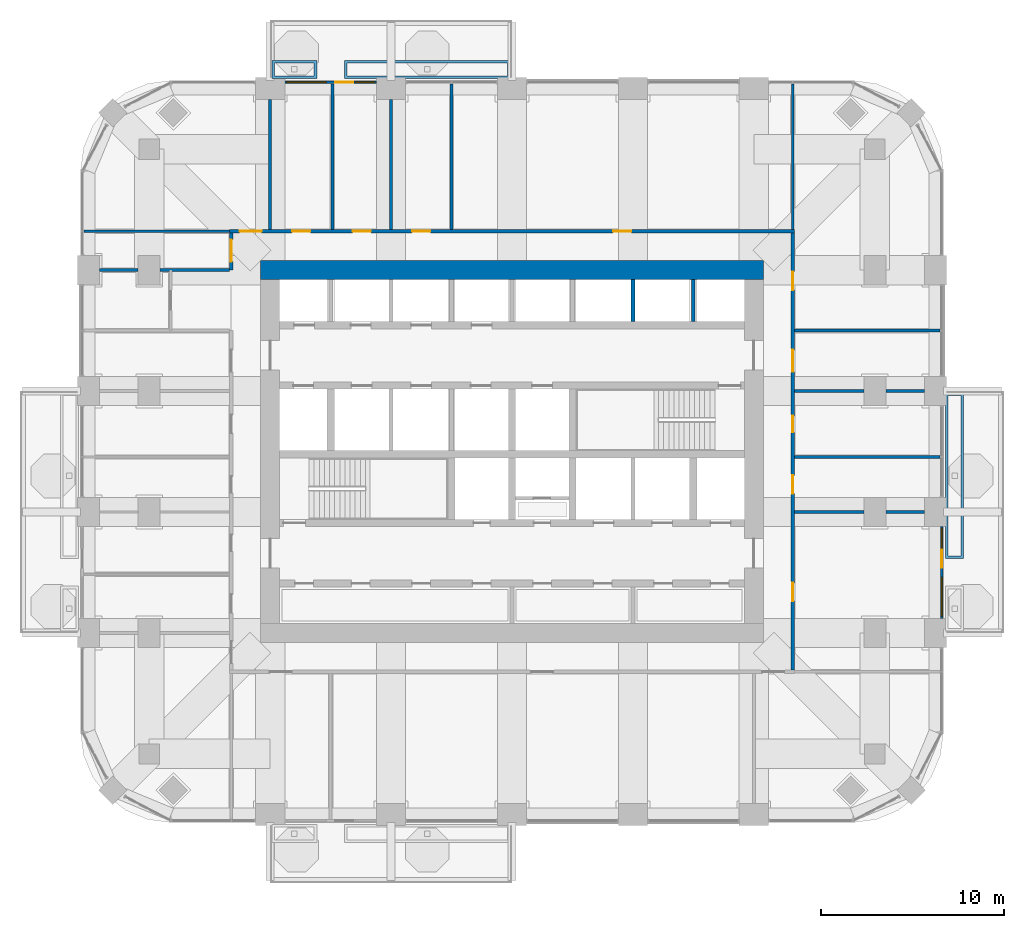
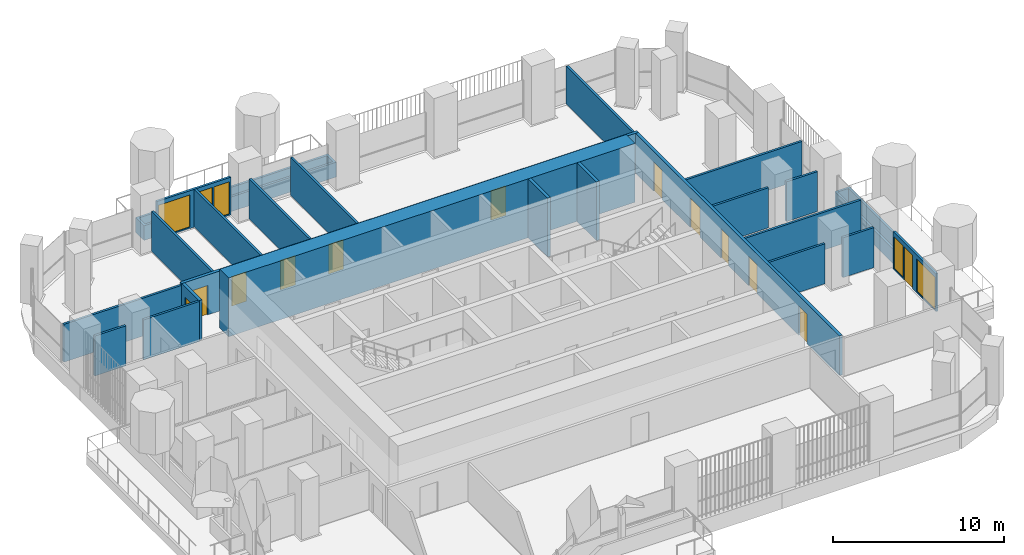
# One storey, part 14 of 20: 25 walls, 13 doors, 4 windows, 17 openings.
"""IFC4 building model written with IfcOpenShell, lengths in metres."""

from ifc_helpers import new_model, si_unit, direction, frame, frame_2d, origin, place, context, subcontext, project, spatial, polyline, rectangle, outline, extrude, material, layer, layer_set, type_object, element, fill, save


model = new_model("IFC4")

# Units and contexts
model_context = context("Model", 3, precision=1e-05, world=origin(), true_north=direction((0.0, 1.0)))
body_context = subcontext(model_context, "Body", "Model", "MODEL_VIEW")
ifc_project = project(units=[si_unit("LENGTHUNIT", "METRE"), si_unit("AREAUNIT", "SQUARE_METRE"), si_unit("VOLUMEUNIT", "CUBIC_METRE"), si_unit("PLANEANGLEUNIT", "RADIAN"), si_unit("MASSUNIT", "GRAM", prefix="KILO")], contexts=[model_context])

# Site, building, storey
site_placement = place(None, origin())
site = spatial("IfcSite", under=ifc_project, at=site_placement, CompositionType="ELEMENT")
building_placement = place(site_placement, origin())
building = spatial("IfcBuilding", under=site, at=building_placement, Name="Cobogo Forest Laboratory Tower", CompositionType="ELEMENT")
storey_placement = place(building_placement, frame((0.0, 0.0, 201.89990234375)))
storey = spatial("IfcBuildingStorey", under=building, at=storey_placement, Name="L46", CompositionType="ELEMENT", Elevation=201.89990234375)

# Wall
ifc_material_1 = material(Name="Concrete HA-50 (C50/60)", Category="concrete")
ifc_layer_1 = layer(ifc_material_1, 1.050048828125)
ifc_layer_set_1 = layer_set([ifc_layer_1], Name="CW1050 core outer wall 1050")
wall_type_1 = type_object("IfcWallType", Name="CW1050 core outer wall 1050", PredefinedType="SHEAR", material=ifc_layer_set_1)
wall_1_placement = place(storey_placement, frame((40.125, 33.0, 0.0), z_axis=(0.0, 0.0, 1.0), x_axis=(-1.0, 0.0, 0.0)))
element("IfcWall", 1, at=wall_1_placement, inside=storey, type_object=wall_type_1, Name="Core wall CO-N L46", PredefinedType="SHEAR", context=body_context, shape_type="SweptSolid", body=[
    extrude(rectangle(XDim=27.449951171875, YDim=1.050048828125, at=frame_2d((13.72509765625, 0.0))), origin(), (0.0, 0.0, 1.0), 4.2001953125),
])

# Wall, openings, door, windows
ifc_material_2 = material(Name="Aluminium framed glazed screen", Category="aluminium")
ifc_layer_2 = layer(ifc_material_2, 0.14990234375)
ifc_layer_set_2 = layer_set([ifc_layer_2], Name="GS1 glazed door screen 150")
wall_type_2 = type_object("IfcWallType", Name="GS1 glazed door screen 150", PredefinedType="SOLIDWALL", material=ifc_layer_set_2)
wall_2_placement = place(storey_placement, frame((49.85009765625, 14.0, 0.0), z_axis=(0.0, 0.0, 1.0), x_axis=(0.0, 1.0, 0.0)))
wall_2 = element("IfcWall", 2, at=wall_2_placement, inside=storey, type_object=wall_type_2, Name="Door screen BAL-E1 L46", PredefinedType="SOLIDWALL", context=body_context, shape_type="SweptSolid", body=[
    extrude(rectangle(XDim=5.0, YDim=0.14990234375, at=frame_2d((2.5, 0.0))), origin(), (0.0, 0.0, 1.0), 2.7001953125),
])
opening_1_placement = place(wall_2_placement, frame((2.75, 0.0, 0.0)))
opening_1 = element("IfcOpeningElement", 3, at=opening_1_placement, cuts=wall_2, Name="Opening L46-D17", PredefinedType="OPENING", context=body_context, shape_type="SweptSolid", body=[
    extrude(rectangle(XDim=1.0, YDim=2.39990234375, at=frame_2d((0.5, 1.199951171875))), frame((0.0, 0.0849609375, 0.0), z_axis=(0.0, -1.0, 0.0), x_axis=(1.0, 0.0, 0.0)), (0.0, 0.0, 1.0), 0.169921875),
])
opening_2_placement = place(wall_2_placement, frame((0.10009765625, 0.0, 0.10009765625)))
opening_2 = element("IfcOpeningElement", 4, at=opening_2_placement, cuts=wall_2, Name="Opening L46-W04", PredefinedType="OPENING", context=body_context, shape_type="SweptSolid", body=[
    extrude(rectangle(XDim=2.14990234375, YDim=2.300048828125, at=frame_2d((1.074951171875, 1.14990234375))), frame((0.0, 0.0849609375, 0.0), z_axis=(0.0, -1.0, 0.0), x_axis=(1.0, 0.0, 0.0)), (0.0, 0.0, 1.0), 0.169921875),
])
opening_3_placement = place(wall_2_placement, frame((3.85009765625, 0.0, 0.10009765625)))
opening_3 = element("IfcOpeningElement", 5, at=opening_3_placement, cuts=wall_2, Name="Opening L46-W06", PredefinedType="OPENING", context=body_context, shape_type="SweptSolid", body=[
    extrude(rectangle(XDim=1.050048828125, YDim=2.300048828125, at=frame_2d((0.52490234375, 1.14990234375))), frame((0.0, 0.0849609375, 0.0), z_axis=(0.0, -1.0, 0.0), x_axis=(1.0, 0.0, 0.0)), (0.0, 0.0, 1.0), 0.169921875),
])
ifc_material_3 = material(Name="Aluminium glazed door", Category="aluminium")
door_type_1 = type_object("IfcDoorType", Name="DB1 balcony door 1000 glazed", OperationType="SINGLE_SWING_LEFT", PredefinedType="DOOR", material=ifc_material_3)
door_1_placement = place(opening_1_placement, origin())
door_1 = element("IfcDoor", 6, at=door_1_placement, inside=storey, type_object=door_type_1, Name="Door L46-BAL-E1", OperationType="SINGLE_SWING_RIGHT", OverallHeight=2.39990234375, OverallWidth=1.0, PredefinedType="DOOR", context=body_context, shape_type="SweptSolid", body=[
    extrude(rectangle(XDim=1.0, YDim=2.39990234375, at=frame_2d((0.5, 1.199951171875))), frame((0.0, 0.02490234375, 0.0), z_axis=(0.0, -1.0, 0.0), x_axis=(1.0, 0.0, 0.0)), (0.0, 0.0, 1.0), 0.050048828125),
])
fill(opening_1, door_1)
ifc_material_4 = material(Name="Aluminium framed glazing", Category="aluminium")
window_type_1 = type_object("IfcWindowType", Name="WG13 fixed glazed light 2150x2300", PartitioningType="SINGLE_PANEL", PredefinedType="WINDOW", material=ifc_material_4)
window_1_placement = place(opening_2_placement, origin())
window_1 = element("IfcWindow", 7, at=window_1_placement, inside=storey, type_object=window_type_1, Name="Window L46-BAL-E1-1", OverallHeight=2.300048828125, OverallWidth=2.14990234375, PartitioningType="SINGLE_PANEL", PredefinedType="WINDOW", context=body_context, shape_type="SweptSolid", body=[
    extrude(rectangle(XDim=2.14990234375, YDim=2.300048828125, at=frame_2d((1.074951171875, 1.14990234375))), frame((0.0, 0.030029296875, 0.0), z_axis=(0.0, -1.0, 0.0), x_axis=(1.0, 0.0, 0.0)), (0.0, 0.0, 1.0), 0.06005859375),
])
fill(opening_2, window_1)
window_type_2 = type_object("IfcWindowType", Name="WG14 fixed glazed light 1050x2300", PartitioningType="SINGLE_PANEL", PredefinedType="WINDOW", material=ifc_material_4)
window_2_placement = place(opening_3_placement, origin())
window_2 = element("IfcWindow", 8, at=window_2_placement, inside=storey, type_object=window_type_2, Name="Window L46-BAL-E1-2", OverallHeight=2.300048828125, OverallWidth=1.050048828125, PartitioningType="SINGLE_PANEL", PredefinedType="WINDOW", context=body_context, shape_type="SweptSolid", body=[
    extrude(rectangle(XDim=1.050048828125, YDim=2.300048828125, at=frame_2d((0.52490234375, 1.14990234375))), frame((0.0, 0.030029296875, 0.0), z_axis=(0.0, -1.0, 0.0), x_axis=(1.0, 0.0, 0.0)), (0.0, 0.0, 1.0), 0.06005859375),
])
fill(opening_3, window_2)

wall_3_placement = place(storey_placement, frame((19.0, 43.25, 0.0), z_axis=(0.0, 0.0, 1.0), x_axis=(-1.0, 0.0, 0.0)))
wall_3 = element("IfcWall", 9, at=wall_3_placement, inside=storey, type_object=wall_type_2, Name="Door screen BAL-N1 L46", PredefinedType="SOLIDWALL", context=body_context, shape_type="SweptSolid", body=[
    extrude(rectangle(XDim=5.0, YDim=0.14990234375, at=frame_2d((2.5, 0.0))), origin(), (0.0, 0.0, 1.0), 2.7001953125),
])
opening_4_placement = place(wall_3_placement, frame((1.25, 0.0, 0.0)))
opening_4 = element("IfcOpeningElement", 10, at=opening_4_placement, cuts=wall_3, Name="Opening L46-D42", PredefinedType="OPENING", context=body_context, shape_type="SweptSolid", body=[
    extrude(rectangle(XDim=1.0, YDim=2.39990234375, at=frame_2d((0.5, 1.199951171875))), frame((0.0, 0.0849609375, 0.0), z_axis=(0.0, -1.0, 0.0), x_axis=(1.0, 0.0, 0.0)), (0.0, 0.0, 1.0), 0.169921875),
])
opening_5_placement = place(wall_3_placement, frame((0.10009765625, 0.0, 0.10009765625)))
opening_5 = element("IfcOpeningElement", 11, at=opening_5_placement, cuts=wall_3, Name="Opening L46-W08", PredefinedType="OPENING", context=body_context, shape_type="SweptSolid", body=[
    extrude(rectangle(XDim=1.050048828125, YDim=2.300048828125, at=frame_2d((0.52490234375, 1.14990234375))), frame((0.0, 0.0849609375, 0.0), z_axis=(0.0, -1.0, 0.0), x_axis=(1.0, 0.0, 0.0)), (0.0, 0.0, 1.0), 0.169921875),
])
opening_6_placement = place(wall_3_placement, frame((2.75, 0.0, 0.10009765625)))
opening_6 = element("IfcOpeningElement", 12, at=opening_6_placement, cuts=wall_3, Name="Opening L46-W07", PredefinedType="OPENING", context=body_context, shape_type="SweptSolid", body=[
    extrude(rectangle(XDim=2.14990234375, YDim=2.300048828125, at=frame_2d((1.074951171875, 1.14990234375))), frame((0.0, 0.0849609375, 0.0), z_axis=(0.0, -1.0, 0.0), x_axis=(1.0, 0.0, 0.0)), (0.0, 0.0, 1.0), 0.169921875),
])
door_2_placement = place(opening_4_placement, origin())
door_2 = element("IfcDoor", 13, at=door_2_placement, inside=storey, type_object=door_type_1, Name="Door L46-BAL-N1", OperationType="SINGLE_SWING_LEFT", OverallHeight=2.39990234375, OverallWidth=1.0, PredefinedType="DOOR", context=body_context, shape_type="SweptSolid", body=[
    extrude(rectangle(XDim=1.0, YDim=2.39990234375, at=frame_2d((0.5, 1.199951171875))), frame((0.0, 0.02490234375, 0.0), z_axis=(0.0, -1.0, 0.0), x_axis=(1.0, 0.0, 0.0)), (0.0, 0.0, 1.0), 0.050048828125),
])
fill(opening_4, door_2)
window_3_placement = place(opening_6_placement, origin())
window_3 = element("IfcWindow", 14, at=window_3_placement, inside=storey, type_object=window_type_1, Name="Window L46-BAL-N1-2", OverallHeight=2.300048828125, OverallWidth=2.14990234375, PartitioningType="SINGLE_PANEL", PredefinedType="WINDOW", context=body_context, shape_type="SweptSolid", body=[
    extrude(rectangle(XDim=2.14990234375, YDim=2.300048828125, at=frame_2d((1.074951171875, 1.14990234375))), frame((0.0, 0.030029296875, 0.0), z_axis=(0.0, -1.0, 0.0), x_axis=(1.0, 0.0, 0.0)), (0.0, 0.0, 1.0), 0.06005859375),
])
fill(opening_6, window_3)
window_4_placement = place(opening_5_placement, origin())
window_4 = element("IfcWindow", 15, at=window_4_placement, inside=storey, type_object=window_type_2, Name="Window L46-BAL-N1-1", OverallHeight=2.300048828125, OverallWidth=1.050048828125, PartitioningType="SINGLE_PANEL", PredefinedType="WINDOW", context=body_context, shape_type="SweptSolid", body=[
    extrude(rectangle(XDim=1.050048828125, YDim=2.300048828125, at=frame_2d((0.52490234375, 1.14990234375))), frame((0.0, 0.030029296875, 0.0), z_axis=(0.0, -1.0, 0.0), x_axis=(1.0, 0.0, 0.0)), (0.0, 0.0, 1.0), 0.06005859375),
])
fill(opening_5, window_4)

# Walls
ifc_material_5 = material(Name="Gypsum board on steel studs", Category="steel")
ifc_layer_3 = layer(ifc_material_5, 0.14990234375)
ifc_layer_set_3 = layer_set([ifc_layer_3], Name="PT1 laboratory partition 150")
wall_type_3 = type_object("IfcWallType", Name="PT1 laboratory partition 150", PredefinedType="PARTITIONING", material=ifc_layer_set_3)
wall_4_placement = place(storey_placement, frame((41.72509765625, 43.169921875, 0.0), z_axis=(0.0, 0.0, 1.0), x_axis=(0.0, -1.0, 0.0)))
element("IfcWall", 16, at=wall_4_placement, inside=storey, type_object=wall_type_3, Name="Partition PW-NE L46", PredefinedType="PARTITIONING", context=body_context, shape_type="SweptSolid", body=[
    extrude(rectangle(XDim=7.94482421875, YDim=0.14990234375, at=frame_2d((3.972412109375, 0.0))), origin(), (0.0, 0.0, 1.0), 2.7001953125),
])
for number, where, z_axis, x_axis, name in (
    (17, (3.030029296875, 35.125, 0.0), (0.0, 0.0, 1.0), (1.0, 0.0, 0.0), "Partition PW-NW L46"),
    (18, (49.77001953125, 22.800048828125, 0.0), (0.0, 0.0, 1.0), (-1.0, 0.0, 0.0), "Partition SVC-E1-1 L46"),
):
    element("IfcWall", number, at=place(storey_placement, frame(where, z_axis=z_axis, x_axis=x_axis)), inside=storey, type_object=wall_type_3, Name=name, PredefinedType="PARTITIONING", context=body_context, shape_type="SweptSolid", body=[
        extrude(rectangle(XDim=7.945068359375, YDim=0.14990234375, at=frame_2d((3.97265625, 0.0))), origin(), (0.0, 0.0, 1.0), 2.7001953125),
    ])
wall_5_placement = place(storey_placement, frame((48.89990234375, 26.39990234375, 0.0), z_axis=(0.0, 0.0, 1.0), x_axis=(-1.0, 0.0, 0.0)))
element("IfcWall", 19, at=wall_5_placement, inside=storey, type_object=wall_type_3, Name="Partition SVC-E2-1 L46", PredefinedType="PARTITIONING", context=body_context, shape_type="SweptSolid", body=[
    extrude(rectangle(XDim=2.099853515625, YDim=0.14990234375, at=frame_2d((1.0498046875, 0.0))), origin(), (0.0, 0.0, 1.0), 2.85009765625),
])
wall_6_placement = place(storey_placement, frame((45.60009765625, 26.39990234375, 0.0), z_axis=(0.0, 0.0, 1.0), x_axis=(-1.0, 0.0, 0.0)))
element("IfcWall", 20, at=wall_6_placement, inside=storey, type_object=wall_type_3, Name="Partition SVC-E2-2 L46", PredefinedType="PARTITIONING", context=body_context, shape_type="SweptSolid", body=[
    extrude(rectangle(XDim=3.775146484375, YDim=0.14990234375, at=frame_2d((1.8876953125, 0.0))), origin(), (0.0, 0.0, 1.0), 2.85009765625),
])
wall_7_placement = place(storey_placement, frame((48.89990234375, 19.800048828125, 0.0), z_axis=(0.0, 0.0, 1.0), x_axis=(-1.0, 0.0, 0.0)))
element("IfcWall", 21, at=wall_7_placement, inside=storey, type_object=wall_type_3, Name="Partition CUT-E19.8-1 L46", PredefinedType="PARTITIONING", context=body_context, shape_type="SweptSolid", body=[
    extrude(rectangle(XDim=2.099853515625, YDim=0.14990234375, at=frame_2d((1.0498046875, 0.0))), origin(), (0.0, 0.0, 1.0), 2.85009765625),
])
wall_8_placement = place(storey_placement, frame((45.60009765625, 19.800048828125, 0.0), z_axis=(0.0, 0.0, 1.0), x_axis=(-1.0, 0.0, 0.0)))
element("IfcWall", 22, at=wall_8_placement, inside=storey, type_object=wall_type_3, Name="Partition CUT-E19.8-2 L46", PredefinedType="PARTITIONING", context=body_context, shape_type="SweptSolid", body=[
    extrude(rectangle(XDim=3.775146484375, YDim=0.14990234375, at=frame_2d((1.8876953125, 0.0))), origin(), (0.0, 0.0, 1.0), 2.85009765625),
])
wall_9_placement = place(storey_placement, frame((49.77001953125, 29.699951171875, 0.0), z_axis=(0.0, 0.0, 1.0), x_axis=(-1.0, 0.0, 0.0)))
element("IfcWall", 23, at=wall_9_placement, inside=storey, type_object=wall_type_3, Name="Partition CUT-E29.7-1 L46", PredefinedType="PARTITIONING", context=body_context, shape_type="SweptSolid", body=[
    extrude(rectangle(XDim=7.945068359375, YDim=0.14990234375, at=frame_2d((3.97265625, 0.0))), origin(), (0.0, 0.0, 1.0), 2.7001953125),
])
wall_10_placement = place(storey_placement, frame((16.60009765625, 43.169921875, 0.0), z_axis=(0.0, 0.0, 1.0), x_axis=(0.0, -1.0, 0.0)))
element("IfcWall", 24, at=wall_10_placement, inside=storey, type_object=wall_type_3, Name="Partition SVC-N1-1 L46", PredefinedType="PARTITIONING", context=body_context, shape_type="SweptSolid", body=[
    extrude(rectangle(XDim=7.94482421875, YDim=0.14990234375, at=frame_2d((3.972412109375, 0.0))), origin(), (0.0, 0.0, 1.0), 2.7001953125),
])
for number, where, z_axis, x_axis, name in (
    (25, (19.800048828125, 42.300048828125, 0.0), (0.0, 0.0, 1.0), (0.0, -1.0, 0.0), "Partition SVC-N2-1 L46"),
    (26, (13.199951171875, 42.300048828125, 0.0), (0.0, 0.0, 1.0), (0.0, -1.0, 0.0), "Partition CUT-N13.2-1 L46"),
):
    element("IfcWall", number, at=place(storey_placement, frame(where, z_axis=z_axis, x_axis=x_axis)), inside=storey, type_object=wall_type_3, Name=name, PredefinedType="PARTITIONING", context=body_context, shape_type="SweptSolid", body=[
        extrude(rectangle(XDim=7.074951171875, YDim=0.14990234375, at=frame_2d((3.53759765625, 0.0))), origin(), (0.0, 0.0, 1.0), 2.85009765625),
    ])
wall_11_placement = place(storey_placement, frame((23.10009765625, 43.169921875, 0.0), z_axis=(0.0, 0.0, 1.0), x_axis=(0.0, -1.0, 0.0)))
element("IfcWall", 27, at=wall_11_placement, inside=storey, type_object=wall_type_3, Name="Partition CUT-N23.1-1 L46", PredefinedType="PARTITIONING", context=body_context, shape_type="SweptSolid", body=[
    extrude(rectangle(XDim=7.94482421875, YDim=0.14990234375, at=frame_2d((3.972412109375, 0.0))), origin(), (0.0, 0.0, 1.0), 2.7001953125),
])
wall_12_placement = place(storey_placement, frame((3.89990234375, 33.0, 0.0), z_axis=(0.0, 0.0, 1.0), x_axis=(1.0, 0.0, 0.0)))
element("IfcWall", 28, at=wall_12_placement, inside=storey, type_object=wall_type_3, Name="Partition CUT-W33-1 L46", PredefinedType="PARTITIONING", context=body_context, shape_type="SweptSolid", body=[
    extrude(rectangle(XDim=2.10009765625, YDim=0.14990234375, at=frame_2d((1.050048828125, 0.0))), origin(), (0.0, 0.0, 1.0), 2.85009765625),
])
wall_13_placement = place(storey_placement, frame((7.199951171875, 33.0, 0.0), z_axis=(0.0, 0.0, 1.0), x_axis=(1.0, 0.0, 0.0)))
element("IfcWall", 29, at=wall_13_placement, inside=storey, type_object=wall_type_3, Name="Partition CUT-W33-2 L46", PredefinedType="PARTITIONING", context=body_context, shape_type="SweptSolid", body=[
    extrude(rectangle(XDim=3.775146484375, YDim=0.14990234375, at=frame_2d((1.8876953125, 0.0))), origin(), (0.0, 0.0, 1.0), 2.85009765625),
])

# Wall, openings, doors
ifc_layer_4 = layer(ifc_material_5, 0.199951171875)
ifc_layer_set_4 = layer_set([ifc_layer_4], Name="PT2 fire-rated corridor partition 200")
wall_type_4 = type_object("IfcWallType", Name="PT2 fire-rated corridor partition 200", PredefinedType="PARTITIONING", material=ifc_layer_set_4)
wall_14_placement = place(storey_placement, frame((10.97509765625, 35.125, 0.0), z_axis=(0.0, 0.0, 1.0), x_axis=(1.0, 0.0, 0.0)))
wall_14 = element("IfcWall", 30, at=wall_14_placement, inside=storey, type_object=wall_type_4, Name="Partition CORR-N L46", PredefinedType="PARTITIONING", context=body_context, shape_type="SweptSolid", body=[
    extrude(rectangle(XDim=30.849853515625, YDim=0.199951171875, at=frame_2d((15.4248046875, 0.0))), origin(), (0.0, 0.0, 1.0), 2.85009765625),
])
opening_7_placement = place(wall_14_placement, frame((0.5625, 0.0, 0.0)))
opening_7 = element("IfcOpeningElement", 31, at=opening_7_placement, cuts=wall_14, Name="Opening L46-D37", PredefinedType="OPENING", context=body_context, shape_type="SweptSolid", body=[
    extrude(rectangle(XDim=1.199951171875, YDim=2.10009765625, at=frame_2d((0.60009765625, 1.050048828125))), frame((0.0, 0.10986328125, 0.0), z_axis=(0.0, -1.0, 0.0), x_axis=(1.0, 0.0, 0.0)), (0.0, 0.0, 1.0), 0.219970703125),
])
opening_8_placement = place(wall_14_placement, frame((3.425048828125, 0.0, 0.0)))
opening_8 = element("IfcOpeningElement", 32, at=opening_8_placement, cuts=wall_14, Name="Opening L46-D38", PredefinedType="OPENING", context=body_context, shape_type="SweptSolid", body=[
    extrude(rectangle(XDim=1.0, YDim=2.10009765625, at=frame_2d((0.5, 1.050048828125))), frame((0.0, 0.10986328125, 0.0), z_axis=(0.0, -1.0, 0.0), x_axis=(1.0, 0.0, 0.0)), (0.0, 0.0, 1.0), 0.219970703125),
])
opening_9_placement = place(wall_14_placement, frame((6.72509765625, 0.0, 0.0)))
opening_9 = element("IfcOpeningElement", 33, at=opening_9_placement, cuts=wall_14, Name="Opening L46-D39", PredefinedType="OPENING", context=body_context, shape_type="SweptSolid", body=[
    extrude(rectangle(XDim=1.0, YDim=2.10009765625, at=frame_2d((0.5, 1.050048828125))), frame((0.0, 0.10986328125, 0.0), z_axis=(0.0, -1.0, 0.0), x_axis=(1.0, 0.0, 0.0)), (0.0, 0.0, 1.0), 0.219970703125),
])
opening_10_placement = place(wall_14_placement, frame((9.97509765625, 0.0, 0.0)))
opening_10 = element("IfcOpeningElement", 34, at=opening_10_placement, cuts=wall_14, Name="Opening L46-D40", PredefinedType="OPENING", context=body_context, shape_type="SweptSolid", body=[
    extrude(rectangle(XDim=1.0, YDim=2.10009765625, at=frame_2d((0.5, 1.050048828125))), frame((0.0, 0.10986328125, 0.0), z_axis=(0.0, -1.0, 0.0), x_axis=(1.0, 0.0, 0.0)), (0.0, 0.0, 1.0), 0.219970703125),
])
opening_11_placement = place(wall_14_placement, frame((20.9375, 0.0, 0.0)))
opening_11 = element("IfcOpeningElement", 35, at=opening_11_placement, cuts=wall_14, Name="Opening L46-D41", PredefinedType="OPENING", context=body_context, shape_type="SweptSolid", body=[
    extrude(rectangle(XDim=1.0, YDim=2.10009765625, at=frame_2d((0.5, 1.050048828125))), frame((0.0, 0.10986328125, 0.0), z_axis=(0.0, -1.0, 0.0), x_axis=(1.0, 0.0, 0.0)), (0.0, 0.0, 1.0), 0.219970703125),
])
ifc_material_6 = material(Name="Timber door", Category="wood")
door_type_2 = type_object("IfcDoorType", Name="D2 laboratory door 1200 unequal pair", OperationType="DOUBLE_DOOR_SINGLE_SWING", PredefinedType="DOOR", material=ifc_material_6)
door_3_placement = place(opening_7_placement, origin())
door_3 = element("IfcDoor", 36, at=door_3_placement, inside=storey, type_object=door_type_2, Name="Door L46-N1", OperationType="DOUBLE_DOOR_SINGLE_SWING", OverallHeight=2.10009765625, OverallWidth=1.199951171875, PredefinedType="DOOR", context=body_context, shape_type="SweptSolid", body=[
    extrude(rectangle(XDim=1.199951171875, YDim=2.10009765625, at=frame_2d((0.60009765625, 1.050048828125))), frame((0.0, 0.02490234375, 0.0), z_axis=(0.0, -1.0, 0.0), x_axis=(1.0, 0.0, 0.0)), (0.0, 0.0, 1.0), 0.050048828125),
])
fill(opening_7, door_3)
ifc_material_7 = material(Name="Timber fire door", Category="wood")
door_type_3 = type_object("IfcDoorType", Name="FD2 fire door 1000 EI2 30", OperationType="SINGLE_SWING_LEFT", PredefinedType="DOOR", material=ifc_material_7)
door_4_placement = place(opening_8_placement, origin())
door_4 = element("IfcDoor", 37, at=door_4_placement, inside=storey, type_object=door_type_3, Name="Door L46-MTG", OperationType="SINGLE_SWING_LEFT", OverallHeight=2.10009765625, OverallWidth=1.0, PredefinedType="DOOR", context=body_context, shape_type="SweptSolid", body=[
    extrude(rectangle(XDim=1.0, YDim=2.10009765625, at=frame_2d((0.5, 1.050048828125))), frame((0.0, 0.02490234375, 0.0), z_axis=(0.0, -1.0, 0.0), x_axis=(1.0, 0.0, 0.0)), (0.0, 0.0, 1.0), 0.050048828125),
])
fill(opening_8, door_4)
door_5_placement = place(opening_9_placement, origin())
door_5 = element("IfcDoor", 38, at=door_5_placement, inside=storey, type_object=door_type_3, Name="Door L46-PAN", OperationType="SINGLE_SWING_LEFT", OverallHeight=2.10009765625, OverallWidth=1.0, PredefinedType="DOOR", context=body_context, shape_type="SweptSolid", body=[
    extrude(rectangle(XDim=1.0, YDim=2.10009765625, at=frame_2d((0.5, 1.050048828125))), frame((0.0, 0.02490234375, 0.0), z_axis=(0.0, -1.0, 0.0), x_axis=(1.0, 0.0, 0.0)), (0.0, 0.0, 1.0), 0.050048828125),
])
fill(opening_9, door_5)
door_6_placement = place(opening_10_placement, origin())
door_6 = element("IfcDoor", 39, at=door_6_placement, inside=storey, type_object=door_type_3, Name="Door L46-N2", OperationType="SINGLE_SWING_LEFT", OverallHeight=2.10009765625, OverallWidth=1.0, PredefinedType="DOOR", context=body_context, shape_type="SweptSolid", body=[
    extrude(rectangle(XDim=1.0, YDim=2.10009765625, at=frame_2d((0.5, 1.050048828125))), frame((0.0, 0.02490234375, 0.0), z_axis=(0.0, -1.0, 0.0), x_axis=(1.0, 0.0, 0.0)), (0.0, 0.0, 1.0), 0.050048828125),
])
fill(opening_10, door_6)
door_7_placement = place(opening_11_placement, origin())
door_7 = element("IfcDoor", 40, at=door_7_placement, inside=storey, type_object=door_type_3, Name="Door L46-N3", OperationType="SINGLE_SWING_RIGHT", OverallHeight=2.10009765625, OverallWidth=1.0, PredefinedType="DOOR", context=body_context, shape_type="SweptSolid", body=[
    extrude(rectangle(XDim=1.0, YDim=2.10009765625, at=frame_2d((0.5, 1.050048828125))), frame((0.0, 0.02490234375, 0.0), z_axis=(0.0, -1.0, 0.0), x_axis=(1.0, 0.0, 0.0)), (0.0, 0.0, 1.0), 0.050048828125),
])
fill(opening_11, door_7)

# Wall, opening, door
wall_15_placement = place(storey_placement, frame((11.074951171875, 33.0, 0.0), z_axis=(0.0, 0.0, 1.0), x_axis=(0.0, 1.0, 0.0)))
wall_15 = element("IfcWall", 41, at=wall_15_placement, inside=storey, type_object=wall_type_4, Name="Partition CORR-W-2 L46", PredefinedType="PARTITIONING", context=body_context, shape_type="SweptSolid", body=[
    extrude(rectangle(XDim=2.02490234375, YDim=0.199951171875, at=frame_2d((1.012451171875, 0.0))), origin(), (0.0, 0.0, 1.0), 2.85009765625),
])
opening_12_placement = place(wall_15_placement, frame((0.46240234375, 0.0, 0.0)))
opening_12 = element("IfcOpeningElement", 42, at=opening_12_placement, cuts=wall_15, Name="Opening L46-D36", PredefinedType="OPENING", context=body_context, shape_type="SweptSolid", body=[
    extrude(rectangle(XDim=1.199951171875, YDim=2.10009765625, at=frame_2d((0.60009765625, 1.050048828125))), frame((0.0, 0.10986328125, 0.0), z_axis=(0.0, -1.0, 0.0), x_axis=(1.0, 0.0, 0.0)), (0.0, 0.0, 1.0), 0.219970703125),
])
door_8_placement = place(opening_12_placement, origin())
door_8 = element("IfcDoor", 43, at=door_8_placement, inside=storey, type_object=door_type_2, Name="Door L46-W5", OperationType="DOUBLE_DOOR_SINGLE_SWING", OverallHeight=2.10009765625, OverallWidth=1.199951171875, PredefinedType="DOOR", context=body_context, shape_type="SweptSolid", body=[
    extrude(rectangle(XDim=1.199951171875, YDim=2.10009765625, at=frame_2d((0.60009765625, 1.050048828125))), frame((0.0, 0.02490234375, 0.0), z_axis=(0.0, -1.0, 0.0), x_axis=(1.0, 0.0, 0.0)), (0.0, 0.0, 1.0), 0.050048828125),
])
fill(opening_12, door_8)

# Wall, openings, doors
wall_16_placement = place(storey_placement, frame((41.72509765625, 11.175048828125, 0.0), z_axis=(0.0, 0.0, 1.0), x_axis=(0.0, 1.0, 0.0)))
wall_16 = element("IfcWall", 44, at=wall_16_placement, inside=storey, type_object=wall_type_4, Name="Partition CORR-E L46", PredefinedType="PARTITIONING", context=body_context, shape_type="SweptSolid", body=[
    extrude(rectangle(XDim=23.849853515625, YDim=0.199951171875, at=frame_2d((11.9248046875, 0.0))), origin(), (0.0, 0.0, 1.0), 2.85009765625),
])
opening_13_placement = place(wall_16_placement, frame((3.762451171875, 0.0, 0.0)))
opening_13 = element("IfcOpeningElement", 45, at=opening_13_placement, cuts=wall_16, Name="Opening L46-D07", PredefinedType="OPENING", context=body_context, shape_type="SweptSolid", body=[
    extrude(rectangle(XDim=1.0, YDim=2.10009765625, at=frame_2d((0.5, 1.050048828125))), frame((0.0, 0.10986328125, 0.0), z_axis=(0.0, -1.0, 0.0), x_axis=(1.0, 0.0, 0.0)), (0.0, 0.0, 1.0), 0.219970703125),
])
opening_14_placement = place(wall_16_placement, frame((9.625, 0.0, 0.0)))
opening_14 = element("IfcOpeningElement", 46, at=opening_14_placement, cuts=wall_16, Name="Opening L46-D26", PredefinedType="OPENING", context=body_context, shape_type="SweptSolid", body=[
    extrude(rectangle(XDim=1.0, YDim=2.10009765625, at=frame_2d((0.5, 1.050048828125))), frame((0.0, 0.10986328125, 0.0), z_axis=(0.0, -1.0, 0.0), x_axis=(1.0, 0.0, 0.0)), (0.0, 0.0, 1.0), 0.219970703125),
])
opening_15_placement = place(wall_16_placement, frame((12.97509765625, 0.0, 0.0)))
opening_15 = element("IfcOpeningElement", 47, at=opening_15_placement, cuts=wall_16, Name="Opening L46-D28", PredefinedType="OPENING", context=body_context, shape_type="SweptSolid", body=[
    extrude(rectangle(XDim=0.89990234375, YDim=2.10009765625, at=frame_2d((0.449951171875, 1.050048828125))), frame((0.0, 0.10986328125, 0.0), z_axis=(0.0, -1.0, 0.0), x_axis=(1.0, 0.0, 0.0)), (0.0, 0.0, 1.0), 0.219970703125),
])
opening_16_placement = place(wall_16_placement, frame((16.27490234375, 0.0, 0.0)))
opening_16 = element("IfcOpeningElement", 48, at=opening_16_placement, cuts=wall_16, Name="Opening L46-D31", PredefinedType="OPENING", context=body_context, shape_type="SweptSolid", body=[
    extrude(rectangle(XDim=1.199951171875, YDim=2.10009765625, at=frame_2d((0.60009765625, 1.050048828125))), frame((0.0, 0.10986328125, 0.0), z_axis=(0.0, -1.0, 0.0), x_axis=(1.0, 0.0, 0.0)), (0.0, 0.0, 1.0), 0.219970703125),
])
opening_17_placement = place(wall_16_placement, frame((20.737548828125, 0.0, 0.0)))
opening_17 = element("IfcOpeningElement", 49, at=opening_17_placement, cuts=wall_16, Name="Opening L46-D35", PredefinedType="OPENING", context=body_context, shape_type="SweptSolid", body=[
    extrude(rectangle(XDim=1.0, YDim=2.10009765625, at=frame_2d((0.5, 1.050048828125))), frame((0.0, 0.10986328125, 0.0), z_axis=(0.0, -1.0, 0.0), x_axis=(1.0, 0.0, 0.0)), (0.0, 0.0, 1.0), 0.219970703125),
])
door_9_placement = place(opening_16_placement, origin())
door_9 = element("IfcDoor", 50, at=door_9_placement, inside=storey, type_object=door_type_2, Name="Door L46-E2", OperationType="DOUBLE_DOOR_SINGLE_SWING", OverallHeight=2.10009765625, OverallWidth=1.199951171875, PredefinedType="DOOR", context=body_context, shape_type="SweptSolid", body=[
    extrude(rectangle(XDim=1.199951171875, YDim=2.10009765625, at=frame_2d((0.60009765625, 1.050048828125))), frame((0.0, 0.02490234375, 0.0), z_axis=(0.0, -1.0, 0.0), x_axis=(1.0, 0.0, 0.0)), (0.0, 0.0, 1.0), 0.050048828125),
])
fill(opening_16, door_9)
ifc_material_8 = material(Name="Steel fire door", Category="steel")
door_type_4 = type_object("IfcDoorType", Name="FD1 fire door 1000 EI2 60", OperationType="SINGLE_SWING_LEFT", PredefinedType="DOOR", material=ifc_material_8)
door_10_placement = place(opening_14_placement, origin())
door_10 = element("IfcDoor", 51, at=door_10_placement, inside=storey, type_object=door_type_4, Name="Door L46-ELEC", OperationType="SINGLE_SWING_LEFT", OverallHeight=2.10009765625, OverallWidth=1.0, PredefinedType="DOOR", context=body_context, shape_type="SweptSolid", body=[
    extrude(rectangle(XDim=1.0, YDim=2.10009765625, at=frame_2d((0.5, 1.050048828125))), frame((0.0, 0.02490234375, 0.0), z_axis=(0.0, -1.0, 0.0), x_axis=(1.0, 0.0, 0.0)), (0.0, 0.0, 1.0), 0.050048828125),
])
fill(opening_14, door_10)
door_11_placement = place(opening_13_placement, origin())
door_11 = element("IfcDoor", 52, at=door_11_placement, inside=storey, type_object=door_type_3, Name="Door L46-E1", OperationType="SINGLE_SWING_LEFT", OverallHeight=2.10009765625, OverallWidth=1.0, PredefinedType="DOOR", context=body_context, shape_type="SweptSolid", body=[
    extrude(rectangle(XDim=1.0, YDim=2.10009765625, at=frame_2d((0.5, 1.050048828125))), frame((0.0, 0.02490234375, 0.0), z_axis=(0.0, -1.0, 0.0), x_axis=(1.0, 0.0, 0.0)), (0.0, 0.0, 1.0), 0.050048828125),
])
fill(opening_13, door_11)
door_12_placement = place(opening_17_placement, origin())
door_12 = element("IfcDoor", 53, at=door_12_placement, inside=storey, type_object=door_type_3, Name="Door L46-E3", OperationType="SINGLE_SWING_RIGHT", OverallHeight=2.10009765625, OverallWidth=1.0, PredefinedType="DOOR", context=body_context, shape_type="SweptSolid", body=[
    extrude(rectangle(XDim=1.0, YDim=2.10009765625, at=frame_2d((0.5, 1.050048828125))), frame((0.0, 0.02490234375, 0.0), z_axis=(0.0, -1.0, 0.0), x_axis=(1.0, 0.0, 0.0)), (0.0, 0.0, 1.0), 0.050048828125),
])
fill(opening_17, door_12)
door_type_5 = type_object("IfcDoorType", Name="FD4 riser access door 900 EI2 60", OperationType="SINGLE_SWING_LEFT", PredefinedType="DOOR", material=ifc_material_8)
door_13_placement = place(opening_15_placement, origin())
door_13 = element("IfcDoor", 54, at=door_13_placement, inside=storey, type_object=door_type_5, Name="Door L46-COMMS", OperationType="SINGLE_SWING_RIGHT", OverallHeight=2.10009765625, OverallWidth=0.89990234375, PredefinedType="DOOR", context=body_context, shape_type="SweptSolid", body=[
    extrude(rectangle(XDim=0.89990234375, YDim=2.10009765625, at=frame_2d((0.449951171875, 1.050048828125))), frame((0.0, 0.02490234375, 0.0), z_axis=(0.0, -1.0, 0.0), x_axis=(1.0, 0.0, 0.0)), (0.0, 0.0, 1.0), 0.050048828125),
])
fill(opening_15, door_13)

# Walls
ifc_material_9 = material(Name="Concrete HA-40 (C40/50)", Category="concrete")
ifc_layer_5 = layer(ifc_material_9, 0.14990234375)
ifc_layer_set_5 = layer_set([ifc_layer_5], Name="Planter box 1000x1050")
wall_type_5 = type_object("IfcWallType", Name="Planter box 1000x1050", PredefinedType="USERDEFINED", material=ifc_layer_set_5)
wall_17_placement = place(storey_placement, origin())
element("IfcWall", 55, at=wall_17_placement, inside=storey, type_object=wall_type_5, Name="Planter BAL-E1-2 L46", ObjectType="PLANTER", PredefinedType="USERDEFINED", context=body_context, shape_type="SweptSolid", body=[
    extrude(outline(polyline([(50.050048828125, 17.25), (51.050048828125, 17.25), (51.050048828125, 26.300048828125), (50.050048828125, 26.300048828125), (50.050048828125, 17.25)]), holes=[polyline([(50.199951171875, 17.39990234375), (50.89990234375, 17.39990234375), (50.89990234375, 26.14990234375), (50.199951171875, 26.14990234375), (50.199951171875, 17.39990234375)])]), origin(), (0.0, 0.0, 1.0), 1.050048828125),
])
wall_18_placement = place(storey_placement, origin())
element("IfcWall", 56, at=wall_18_placement, inside=storey, type_object=wall_type_5, Name="Planter BAL-N1-1 L46", ObjectType="PLANTER", PredefinedType="USERDEFINED", context=body_context, shape_type="SweptSolid", body=[
    extrude(outline(polyline([(13.300048828125, 43.449951171875), (15.75, 43.449951171875), (15.75, 44.449951171875), (13.300048828125, 44.449951171875), (13.300048828125, 43.449951171875)]), holes=[polyline([(13.449951171875, 43.60009765625), (15.60009765625, 43.60009765625), (15.60009765625, 44.300048828125), (13.449951171875, 44.300048828125), (13.449951171875, 43.60009765625)])]), origin(), (0.0, 0.0, 1.0), 1.050048828125),
])
wall_19_placement = place(storey_placement, origin())
element("IfcWall", 57, at=wall_19_placement, inside=storey, type_object=wall_type_5, Name="Planter BAL-N1-2 L46", ObjectType="PLANTER", PredefinedType="USERDEFINED", context=body_context, shape_type="SweptSolid", body=[
    extrude(outline(polyline([(17.25, 43.449951171875), (26.300048828125, 43.449951171875), (26.300048828125, 44.449951171875), (17.25, 44.449951171875), (17.25, 43.449951171875)]), holes=[polyline([(17.39990234375, 43.60009765625), (26.14990234375, 43.60009765625), (26.14990234375, 44.300048828125), (17.39990234375, 44.300048828125), (17.39990234375, 43.60009765625)])]), origin(), (0.0, 0.0, 1.0), 1.050048828125),
])
ifc_material_10 = material(Name="Concrete block", Category="concrete")
ifc_layer_6 = layer(ifc_material_10, 0.199951171875)
ifc_layer_set_6 = layer_set([ifc_layer_6], Name="SW200 lift shaft separator 200")
wall_type_6 = type_object("IfcWallType", Name="SW200 lift shaft separator 200", PredefinedType="PARTITIONING", material=ifc_layer_set_6)
for number, where, z_axis, x_axis, name in (
    (58, (33.0, 30.199951171875, 0.0), (0.0, 0.0, 1.0), (0.0, 1.0, 0.0), "Core wall SEP-N6 L46"),
    (59, (36.300048828125, 30.199951171875, 0.0), (0.0, 0.0, 1.0), (0.0, 1.0, 0.0), "Core wall SEP-N7 L46"),
):
    element("IfcWall", number, at=place(storey_placement, frame(where, z_axis=z_axis, x_axis=x_axis)), inside=storey, type_object=wall_type_6, Name=name, PredefinedType="PARTITIONING", context=body_context, shape_type="SweptSolid", body=[
        extrude(rectangle(XDim=2.275146484375, YDim=0.199951171875, at=frame_2d((1.1376953125, 0.0))), origin(), (0.0, 0.0, 1.0), 4.2001953125),
    ])

save(model, "model.ifc")
